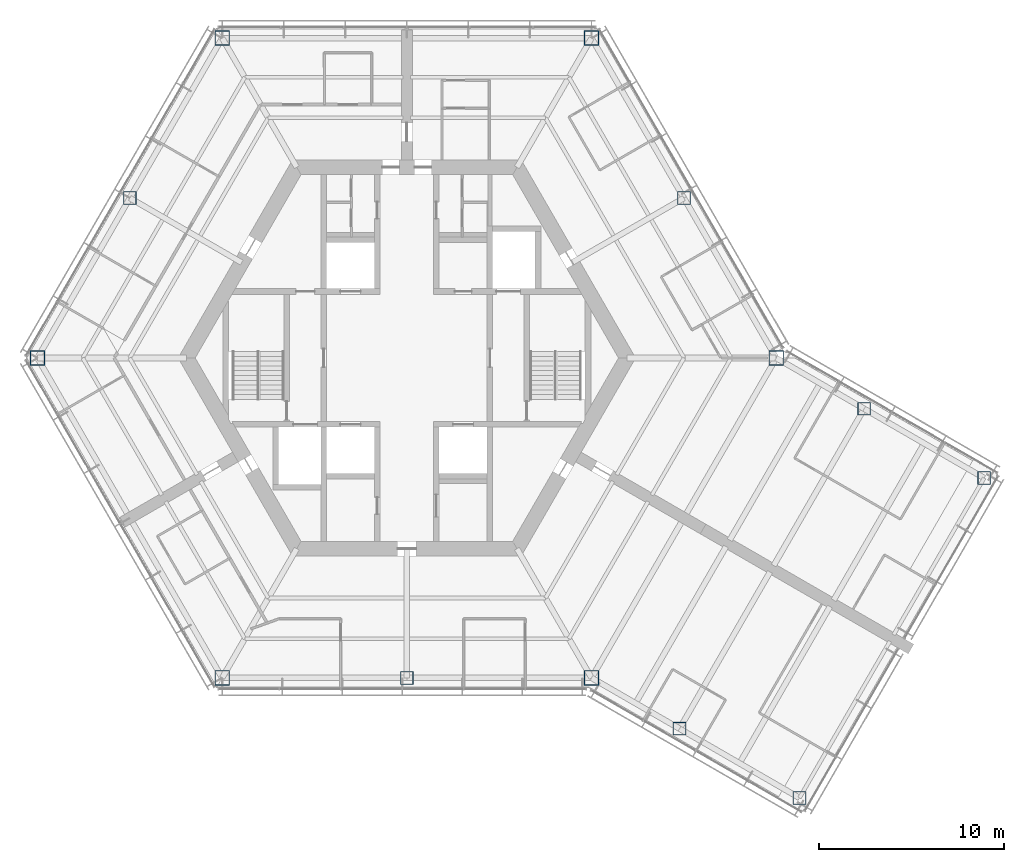
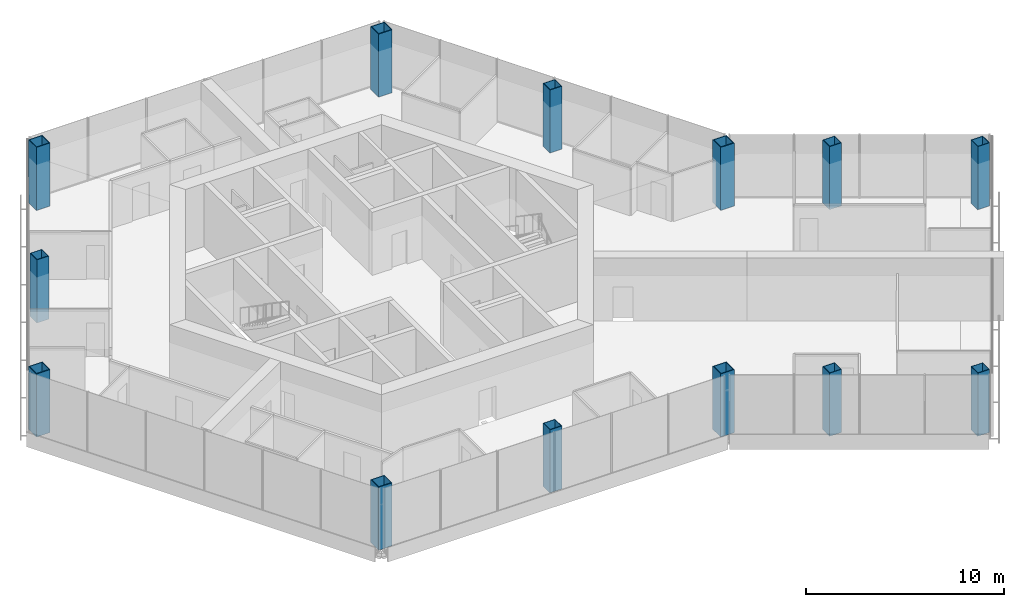
# One storey, part 1 of 16: 13 columns.
"""IFC4 building model written with IfcOpenShell, lengths in metres."""

from ifc_helpers import new_model, si_unit, direction, frame, origin, origin_2d, place, context, subcontext, project, spatial, hollow_rectangle, extrude, material, material_profile, profile_set, type_object, element, save


model = new_model("IFC4")

# Units and contexts
model_context = context("Model", 3, precision=1e-05, world=origin(), true_north=direction((0.0, 1.0)))
body_context = subcontext(model_context, "Body", "Model", "MODEL_VIEW")
ifc_project = project(units=[si_unit("LENGTHUNIT", "METRE"), si_unit("AREAUNIT", "SQUARE_METRE"), si_unit("VOLUMEUNIT", "CUBIC_METRE"), si_unit("PLANEANGLEUNIT", "RADIAN"), si_unit("MASSUNIT", "GRAM", prefix="KILO")], contexts=[model_context])

# Site, building, storey
site_placement = place(None, origin())
site = spatial("IfcSite", under=ifc_project, at=site_placement, CompositionType="ELEMENT")
building_placement = place(site_placement, origin())
building = spatial("IfcBuilding", under=site, at=building_placement, Name="Kasaneha Research Tower", CompositionType="ELEMENT")
storey_placement = place(building_placement, frame((0.0, 0.0, 247.89990234375)))
storey = spatial("IfcBuildingStorey", under=building, at=storey_placement, Name="L62", CompositionType="ELEMENT", Elevation=247.89990234375)

# Columns
ifc_material_1 = material(Name="Steel SN490C", Category="steel")
ifc_material_profile_1 = material_profile(ifc_material_1, hollow_rectangle(XDim=0.800048828125, YDim=0.800048828125, WallThickness=0.0400390625, at=origin_2d()), Name="BOX-800x800x40")
ifc_profile_set_1 = profile_set([ifc_material_profile_1], Name="Steel SN490C")
column_type_1 = type_object("IfcColumnType", Name="C4A column BOX-800x800x40", PredefinedType="COLUMN", material=ifc_profile_set_1)
for number, where, z_axis, x_axis, name in (
    (1, (20.0, 0.0, 0.0), (0.0, 0.0, 1.0), (1.0, 0.0, 0.0), "Column V0 L62"),
    (2, (10.0, 17.320556640625, 0.0), (0.0, 0.0, 1.0), (1.0, 0.0, 0.0), "Column V1 L62"),
    (3, (-10.0, 17.320556640625, 0.0), (0.0, 0.0, 1.0), (1.0, 0.0, 0.0), "Column V2 L62"),
    (4, (-20.0, 0.0, 0.0), (0.0, 0.0, 1.0), (1.0, 0.0, 0.0), "Column V3 L62"),
    (5, (-10.0, -17.320556640625, 0.0), (0.0, 0.0, 1.0), (1.0, 0.0, 0.0), "Column V4 L62"),
    (6, (10.0, -17.320556640625, 0.0), (0.0, 0.0, 1.0), (1.0, 0.0, 0.0), "Column V5 L62"),
):
    element("IfcColumn", number, at=place(storey_placement, frame(where, z_axis=z_axis, x_axis=x_axis)), inside=storey, type_object=column_type_1, Name=name, PredefinedType="COLUMN", context=body_context, shape_type="SweptSolid", body=[
        extrude(hollow_rectangle(XDim=0.800048828125, YDim=0.800048828125, WallThickness=0.0400390625, at=origin_2d()), origin(), (0.0, 0.0, 1.0), 3.900146484375),
    ])
ifc_material_2 = material(Name="Steel SN490C", Category="steel")
ifc_material_profile_2 = material_profile(ifc_material_2, hollow_rectangle(XDim=0.699951171875, YDim=0.699951171875, WallThickness=0.031982421875, at=origin_2d()), Name="BOX-700x700x32")
ifc_profile_set_2 = profile_set([ifc_material_profile_2], Name="Steel SN490C")
column_type_2 = type_object("IfcColumnType", Name="C4B column BOX-700x700x32", PredefinedType="COLUMN", material=ifc_profile_set_2)
for number, where, z_axis, x_axis, name in (
    (7, (15.0, 8.66015625, 0.0), (0.0, 0.0, 1.0), (1.0, 0.0, 0.0), "Column M030 L62"),
    (8, (-15.0, 8.66015625, 0.0), (0.0, 0.0, 1.0), (1.0, 0.0, 0.0), "Column M150 L62"),
    (9, (0.0, -17.320556640625, 0.0), (0.0, 0.0, 1.0), (1.0, 0.0, 0.0), "Column M270 L62"),
    (10, (14.76318359375, -20.070556640625, 0.0), (0.0, 0.0, 1.0), (1.0, 0.0, 0.0), "Column CSP L62"),
    (11, (21.25830078125, -23.820556640625, 0.0), (0.0, 0.0, 1.0), (1.0, 0.0, 0.0), "Column CTP L62"),
    (12, (24.76318359375, -2.75, 0.0), (0.0, 0.0, 1.0), (1.0, 0.0, 0.0), "Column CSN L62"),
    (13, (31.25830078125, -6.5, 0.0), (0.0, 0.0, 1.0), (1.0, 0.0, 0.0), "Column CTN L62"),
):
    element("IfcColumn", number, at=place(storey_placement, frame(where, z_axis=z_axis, x_axis=x_axis)), inside=storey, type_object=column_type_2, Name=name, PredefinedType="COLUMN", context=body_context, shape_type="SweptSolid", body=[
        extrude(hollow_rectangle(XDim=0.699951171875, YDim=0.699951171875, WallThickness=0.031982421875, at=origin_2d()), origin(), (0.0, 0.0, 1.0), 3.900146484375),
    ])

save(model, "model.ifc")
